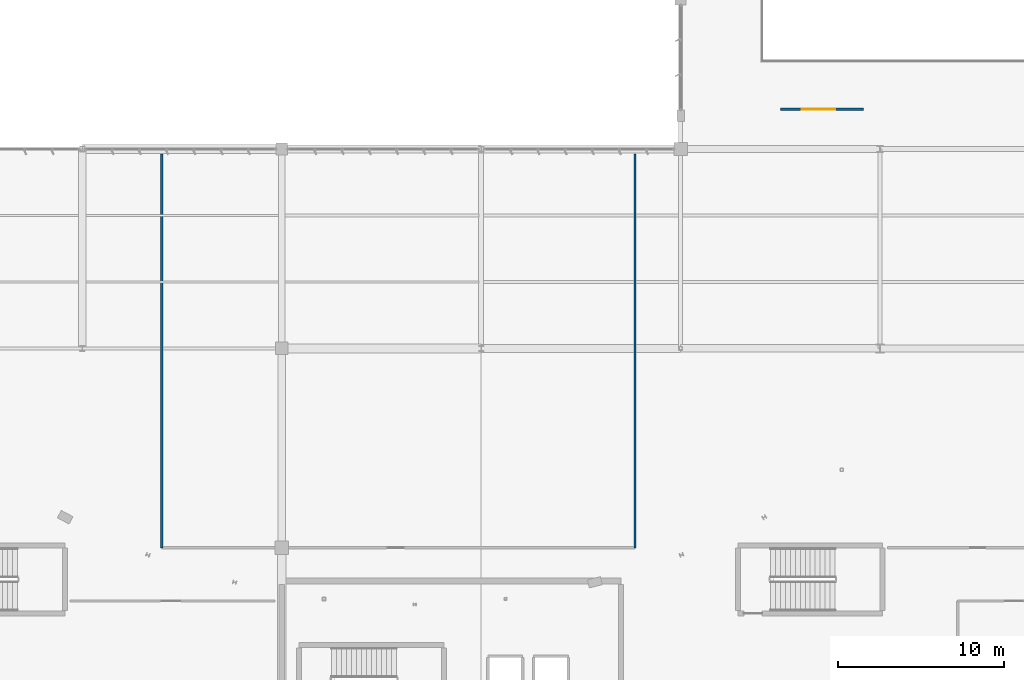
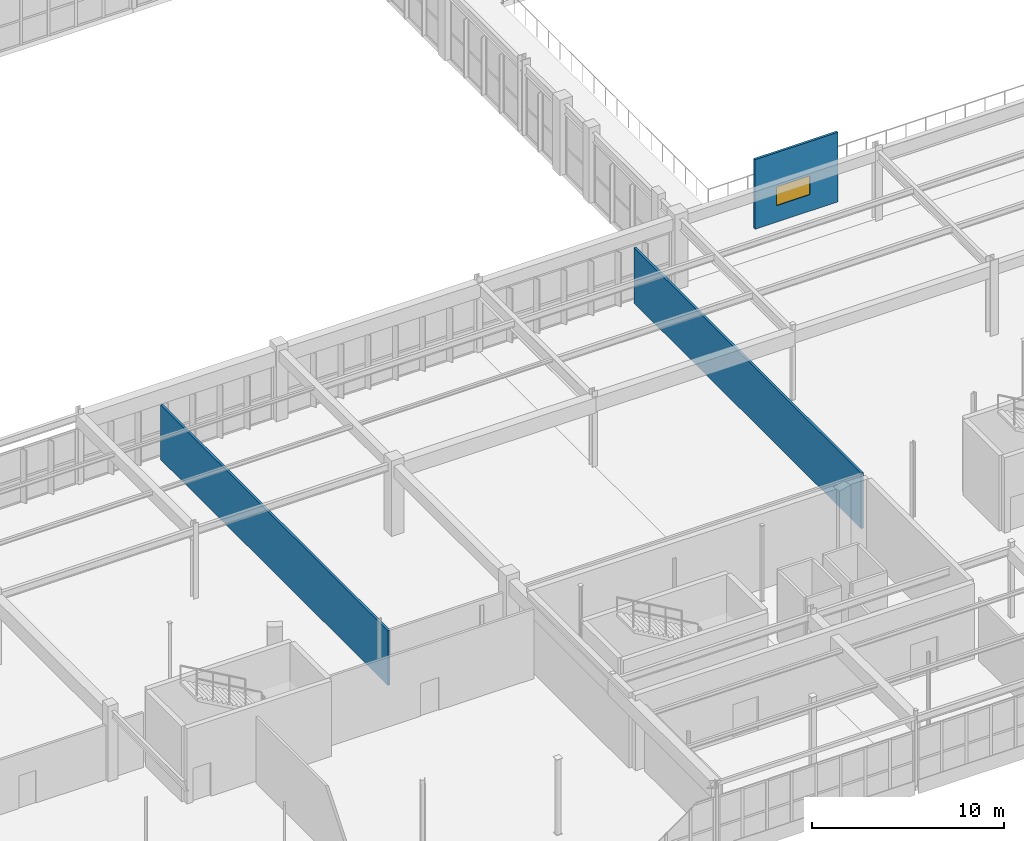
# One storey, part 192 of 226: 3 walls, 1 window, 1 opening.
"""IFC4 building model written with IfcOpenShell, lengths in metres."""

from ifc_helpers import new_model, si_unit, direction, frame, frame_2d, origin, place, context, subcontext, project, spatial, rectangle, extrude, material, layer, layer_set, type_object, element, fill, save


model = new_model("IFC4")

# Units and contexts
model_context = context("Model", 3, precision=1e-05, world=origin(), true_north=direction((0.0, 1.0)))
body_context = subcontext(model_context, "Body", "Model", "MODEL_VIEW")
ifc_project = project(units=[si_unit("LENGTHUNIT", "METRE"), si_unit("AREAUNIT", "SQUARE_METRE"), si_unit("VOLUMEUNIT", "CUBIC_METRE"), si_unit("PLANEANGLEUNIT", "RADIAN"), si_unit("MASSUNIT", "GRAM", prefix="KILO")], contexts=[model_context])

# Site, building, storey
site_placement = place(None, origin())
site = spatial("IfcSite", under=ifc_project, at=site_placement, CompositionType="ELEMENT")
building_placement = place(site_placement, origin())
building = spatial("IfcBuilding", under=site, at=building_placement, Name="Tarnwether General Hospital", CompositionType="ELEMENT")
storey_placement = place(building_placement, frame((0.0, 0.0, 4.800048828125)))
storey = spatial("IfcBuildingStorey", under=building, at=storey_placement, Name="L01", CompositionType="ELEMENT", Elevation=4.800048828125)

# Walls
ifc_material_1 = material(Name="Gypsum plasterboard")
ifc_layer = layer(ifc_material_1, 0.139892578125)
ifc_layer_set = layer_set([ifc_layer], Name="Gypsum plasterboard")
wall_type = type_object("IfcWallType", Name="WL-PT140", PredefinedType="PARTITIONING", material=ifc_layer_set)
wall_1_placement = place(storey_placement, frame((76.778076171875, 21.60009765625, 0.0), z_axis=(0.0, 0.0, 1.0), x_axis=(0.0, 1.0, 0.0)))
element("IfcWall", 1, at=wall_1_placement, inside=storey, type_object=wall_type, Name="Interior Partition PT-L01-0212", PredefinedType="PARTITIONING", context=body_context, shape_type="SweptSolid", body=[
    extrude(rectangle(XDim=23.699951171875, YDim=0.139892578125, at=frame_2d((11.85009765625, 0.0))), origin(), (0.0, 0.0, 1.0), 3.47998046875),
])
wall_2_placement = place(storey_placement, frame((105.256103515625, 21.60009765625, 0.0), z_axis=(0.0, 0.0, 1.0), x_axis=(0.0, 1.0, 0.0)))
element("IfcWall", 2, at=wall_2_placement, inside=storey, type_object=wall_type, Name="Interior Partition PT-L01-0214", PredefinedType="PARTITIONING", context=body_context, shape_type="SweptSolid", body=[
    extrude(rectangle(XDim=23.699951171875, YDim=0.139892578125, at=frame_2d((11.85009765625, 0.0))), origin(), (0.0, 0.0, 1.0), 3.530029296875),
])

# Wall, opening, window
wall_3_placement = place(storey_placement, frame((114.0, 48.0, 0.0), z_axis=(0.0, 0.0, 1.0), x_axis=(1.0, 0.0, 0.0)))
wall_3 = element("IfcWall", 3, at=wall_3_placement, inside=storey, type_object=wall_type, Name="Clinical Observation Partition PT-OBS-L01-02", PredefinedType="PARTITIONING", context=body_context, shape_type="SweptSolid", body=[
    extrude(rectangle(XDim=5.0, YDim=0.139892578125, at=frame_2d((2.5, 0.0))), origin(), (0.0, 0.0, 1.0), 4.429931640625),
])
opening_placement = place(wall_3_placement, frame((1.300048828125, 0.0, 1.050048828125)))
opening = element("IfcOpeningElement", 4, at=opening_placement, cuts=wall_3, Name="Opening W-27", PredefinedType="OPENING", context=body_context, shape_type="SweptSolid", body=[
    extrude(rectangle(XDim=2.0, YDim=1.199951171875, at=frame_2d((1.0, 0.60009765625))), frame((0.0, 0.080078125, 0.0), z_axis=(0.0, -1.0, 0.0), x_axis=(1.0, 0.0, 0.0)), (0.0, 0.0, 1.0), 0.159912109375),
])
ifc_material_2 = material(Name="Double glazed low-E glass", Category="glass")
window_type = type_object("IfcWindowType", Name="WN-27", PartitioningType="DOUBLE_PANEL_VERTICAL", PredefinedType="WINDOW", material=ifc_material_2)
window_placement = place(opening_placement, origin())
window = element("IfcWindow", 5, at=window_placement, inside=storey, type_object=window_type, Name="Internal Clinical Observation Window 02", OverallHeight=1.199951171875, OverallWidth=2.0, PartitioningType="DOUBLE_PANEL_VERTICAL", PredefinedType="WINDOW", context=body_context, shape_type="SweptSolid", body=[
    extrude(rectangle(XDim=2.0, YDim=1.199951171875, at=frame_2d((1.0, 0.60009765625))), frame((0.0, 0.030029296875, 0.0), z_axis=(0.0, -1.0, 0.0), x_axis=(1.0, 0.0, 0.0)), (0.0, 0.0, 1.0), 0.06005859375),
])
fill(opening, window)

save(model, "model.ifc")
